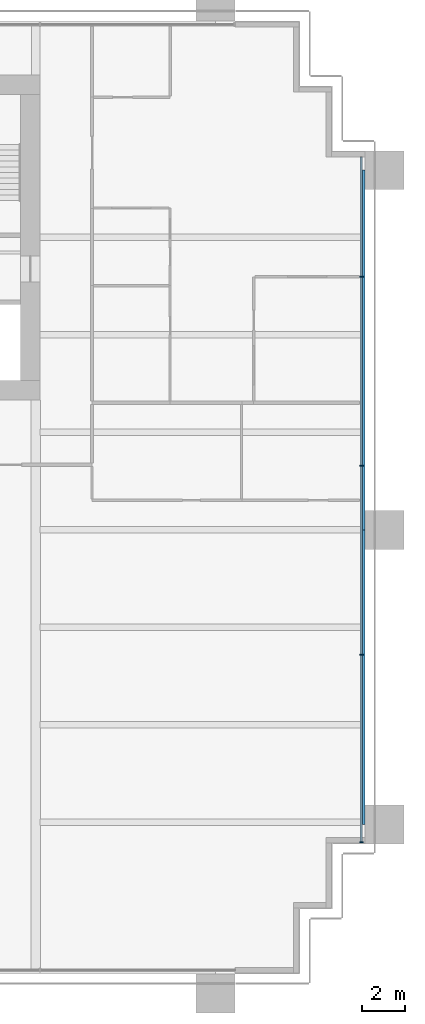
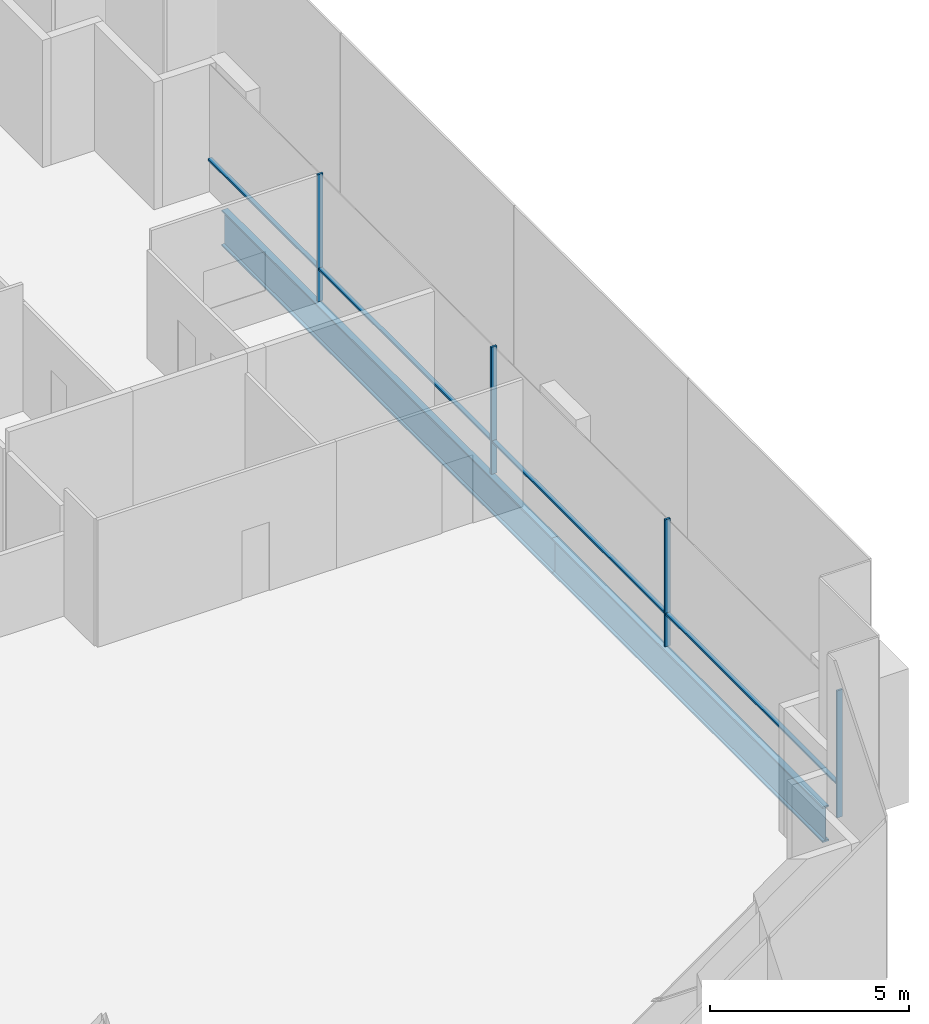
# One storey, part 9 of 17: 8 members, 2 beams, 1 element without a shape of its own.
"""IFC4 building model written with IfcOpenShell, lengths in metres."""

from ifc_helpers import new_model, si_unit, direction, frame, origin, origin_2d, place, context, subcontext, project, spatial, rectangle, i_section, extrude, material, material_profile, profile_set, type_object, element, aggregate, save


model = new_model("IFC4")

# Units and contexts
model_context = context("Model", 3, precision=1e-05, world=origin(), true_north=direction((0.0, 1.0)))
body_context = subcontext(model_context, "Body", "Model", "MODEL_VIEW")
ifc_project = project(units=[si_unit("LENGTHUNIT", "METRE"), si_unit("AREAUNIT", "SQUARE_METRE"), si_unit("VOLUMEUNIT", "CUBIC_METRE"), si_unit("PLANEANGLEUNIT", "RADIAN"), si_unit("MASSUNIT", "GRAM", prefix="KILO")], contexts=[model_context])

# Site, building, storey
site_placement = place(None, origin())
site = spatial("IfcSite", under=ifc_project, at=site_placement, CompositionType="ELEMENT")
building_placement = place(site_placement, origin())
building = spatial("IfcBuilding", under=site, at=building_placement, Name="Rattan Terrace Tower", CompositionType="ELEMENT")
storey_placement = place(building_placement, frame((0.0, 0.0, 44.699951171875)))
storey = spatial("IfcBuildingStorey", under=building, at=storey_placement, Name="L09", CompositionType="ELEMENT", Elevation=44.699951171875)

# Curtain wall, members
ifc_material_1 = material(Name="Aluminium and glass", Category="aluminium")
curtain_wall_type = type_object("IfcCurtainWallType", Name="Facade Unitised Curtain Wall", PredefinedType="NOTDEFINED", material=ifc_material_1)
curtain_wall_placement = place(storey_placement, origin())
curtain_wall = element("IfcCurtainWall", 1, at=curtain_wall_placement, inside=storey, type_object=curtain_wall_type, Name="Curtain wall L09-1", PredefinedType="NOTDEFINED")
ifc_material_2 = material(Name="Aluminium", Category="aluminium")
ifc_material_profile_1 = material_profile(ifc_material_2, rectangle(XDim=0.06005859375, YDim=0.159912109375, at=origin_2d()), Name="Aluminium 60x160")
ifc_profile_set_1 = profile_set([ifc_material_profile_1], Name="Aluminium")
member_type_1 = type_object("IfcMemberType", Name="Facade CW Mullion 60x160", PredefinedType="MULLION", material=ifc_profile_set_1)
member_1_placement = place(storey_placement, frame((32.830078125, -27.925048828125, 0.0), z_axis=(0.0, 0.0, 1.0), x_axis=(0.0, 1.0, 0.0)))
member_1 = element("IfcMember", 2, at=member_1_placement, type_object=member_type_1, Name="Mullion cwl-L09-001.1", PredefinedType="MULLION", context=body_context, shape_type="SweptSolid", body=[
    extrude(rectangle(XDim=0.06005859375, YDim=0.159912109375, at=origin_2d()), origin(), (0.0, 0.0, 1.0), 3.900146484375),
])
member_2_placement = place(storey_placement, frame((32.830078125, -19.27294921875, 0.0), z_axis=(0.0, 0.0, 1.0), x_axis=(0.0, 1.0, 0.0)))
member_2 = element("IfcMember", 3, at=member_2_placement, type_object=member_type_1, Name="Mullion cwl-L09-001.2", PredefinedType="MULLION", context=body_context, shape_type="SweptSolid", body=[
    extrude(rectangle(XDim=0.06005859375, YDim=0.159912109375, at=origin_2d()), origin(), (0.0, 0.0, 1.0), 3.900146484375),
])
member_3_placement = place(storey_placement, frame((32.830078125, -10.5458984375, 0.0), z_axis=(0.0, 0.0, 1.0), x_axis=(0.0, 1.0, 0.0)))
member_3 = element("IfcMember", 4, at=member_3_placement, type_object=member_type_1, Name="Mullion cwl-L09-001.3", PredefinedType="MULLION", context=body_context, shape_type="SweptSolid", body=[
    extrude(rectangle(XDim=0.06005859375, YDim=0.159912109375, at=origin_2d()), origin(), (0.0, 0.0, 1.0), 3.900146484375),
])
member_4_placement = place(storey_placement, frame((32.830078125, -1.819091796875, 0.0), z_axis=(0.0, 0.0, 1.0), x_axis=(0.0, 1.0, 0.0)))
member_4 = element("IfcMember", 5, at=member_4_placement, type_object=member_type_1, Name="Mullion cwl-L09-001.4", PredefinedType="MULLION", context=body_context, shape_type="SweptSolid", body=[
    extrude(rectangle(XDim=0.06005859375, YDim=0.159912109375, at=origin_2d()), origin(), (0.0, 0.0, 1.0), 3.900146484375),
])
ifc_material_3 = material(Name="Aluminium", Category="aluminium")
ifc_material_profile_2 = material_profile(ifc_material_3, rectangle(XDim=0.1201171875, YDim=0.06005859375, at=origin_2d()), Name="Aluminium 120x60")
ifc_profile_set_2 = profile_set([ifc_material_profile_2], Name="Aluminium")
member_type_2 = type_object("IfcMemberType", Name="Facade CW Transom 120x60", PredefinedType="USERDEFINED", material=ifc_profile_set_2)
member_5_placement = place(storey_placement, frame((32.830078125, -27.89501953125, 1.0), z_axis=(0.0, 1.0, 0.0), x_axis=(-1.0, 0.0, 0.0)))
member_5 = element("IfcMember", 6, at=member_5_placement, type_object=member_type_2, Name="Transom cwl-L09-001.1", ObjectType="TRANSOM", PredefinedType="USERDEFINED", context=body_context, shape_type="SweptSolid", body=[
    extrude(rectangle(XDim=0.1201171875, YDim=0.06005859375, at=origin_2d()), origin(), (0.0, 0.0, 1.0), 8.592041015625),
])
member_6_placement = place(storey_placement, frame((32.830078125, -19.242919921875, 1.0), z_axis=(0.0, 1.0, 0.0), x_axis=(-1.0, 0.0, 0.0)))
member_6 = element("IfcMember", 7, at=member_6_placement, type_object=member_type_2, Name="Transom cwl-L09-001.2", ObjectType="TRANSOM", PredefinedType="USERDEFINED", context=body_context, shape_type="SweptSolid", body=[
    extrude(rectangle(XDim=0.1201171875, YDim=0.06005859375, at=origin_2d()), origin(), (0.0, 0.0, 1.0), 8.6669921875),
])
member_7_placement = place(storey_placement, frame((32.830078125, -10.51611328125, 1.0), z_axis=(0.0, 1.0, 0.0), x_axis=(-1.0, 0.0, 0.0)))
member_7 = element("IfcMember", 8, at=member_7_placement, type_object=member_type_2, Name="Transom cwl-L09-001.3", ObjectType="TRANSOM", PredefinedType="USERDEFINED", context=body_context, shape_type="SweptSolid", body=[
    extrude(rectangle(XDim=0.1201171875, YDim=0.06005859375, at=origin_2d()), origin(), (0.0, 0.0, 1.0), 8.6669921875),
])
member_8_placement = place(storey_placement, frame((32.830078125, -1.7890625, 1.0), z_axis=(0.0, 1.0, 0.0), x_axis=(-1.0, 0.0, 0.0)))
member_8 = element("IfcMember", 9, at=member_8_placement, type_object=member_type_2, Name="Transom cwl-L09-001.4", ObjectType="TRANSOM", PredefinedType="USERDEFINED", context=body_context, shape_type="SweptSolid", body=[
    extrude(rectangle(XDim=0.1201171875, YDim=0.06005859375, at=origin_2d()), origin(), (0.0, 0.0, 1.0), 5.494140625),
])
aggregate(curtain_wall, [member_1, member_2, member_3, member_4, member_5, member_6, member_7, member_8])

# Beams
ifc_material_4 = material(Name="Steel S460", Category="steel")
ifc_material_profile_3 = material_profile(ifc_material_4, i_section(OverallWidth=0.179931640625, OverallDepth=1.10009765625, WebThickness=0.01611328125, FlangeThickness=0.050048828125, at=origin_2d()), Name="PG 1100x180-16-50")
ifc_profile_set_3 = profile_set([ifc_material_profile_3], Name="Steel S460")
beam_type = type_object("IfcBeamType", Name="Frame edge girder PG 1100x180-16-50", PredefinedType="SPANDREL", material=ifc_profile_set_3)
beam_1_placement = place(storey_placement, frame((32.909912109375, -27.10009765625, -0.75), z_axis=(0.0, 1.0, 0.0), x_axis=(-1.0, 0.0, 0.0)))
element("IfcBeam", 10, at=beam_1_placement, inside=storey, type_object=beam_type, Name="gdr-L09-005", PredefinedType="SPANDREL", context=body_context, shape_type="SweptSolid", body=[
    extrude(i_section(OverallWidth=0.179931640625, OverallDepth=1.10009765625, WebThickness=0.01611328125, FlangeThickness=0.050048828125, at=origin_2d()), origin(), (0.0, 0.0, 1.0), 13.60009765625),
])
beam_2_placement = place(storey_placement, frame((32.909912109375, -13.5, -0.75), z_axis=(0.0, 1.0, 0.0), x_axis=(-1.0, 0.0, 0.0)))
element("IfcBeam", 11, at=beam_2_placement, inside=storey, type_object=beam_type, Name="gdr-L09-007", PredefinedType="SPANDREL", context=body_context, shape_type="SweptSolid", body=[
    extrude(i_section(OverallWidth=0.179931640625, OverallDepth=1.10009765625, WebThickness=0.01611328125, FlangeThickness=0.050048828125, at=origin_2d()), origin(), (0.0, 0.0, 1.0), 16.60009765625),
])

save(model, "model.ifc")
